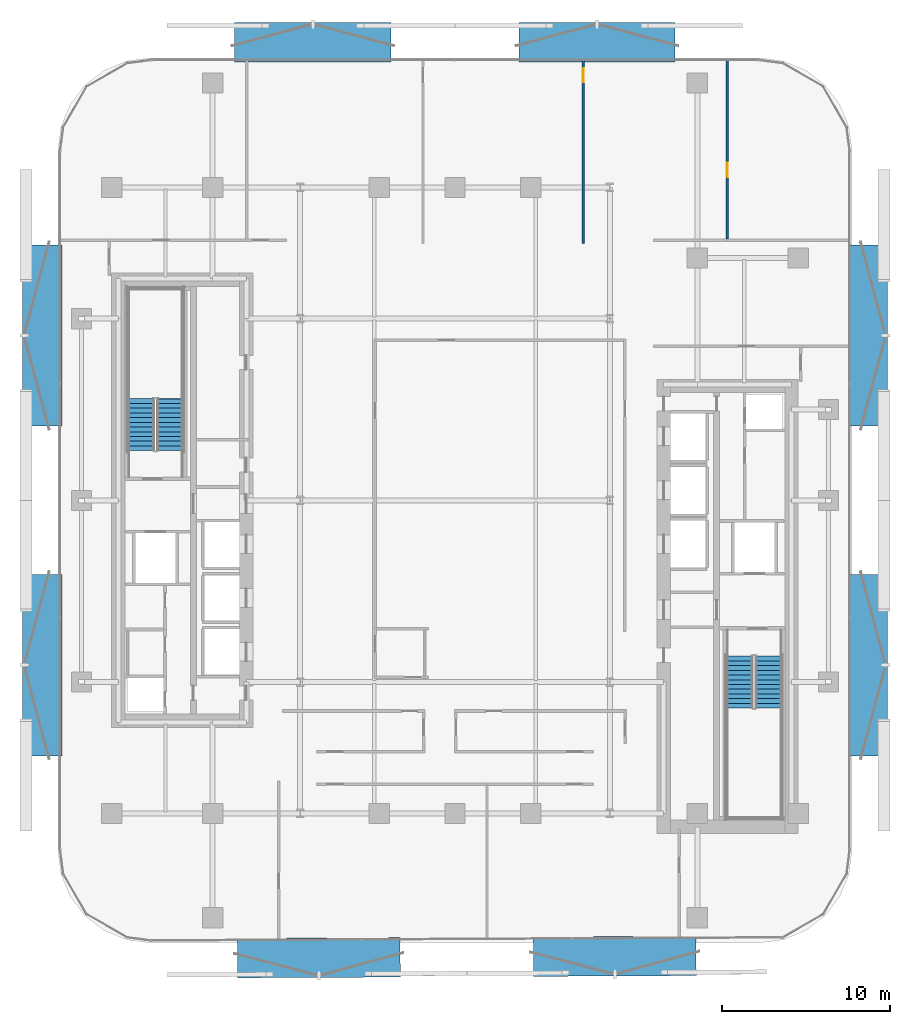
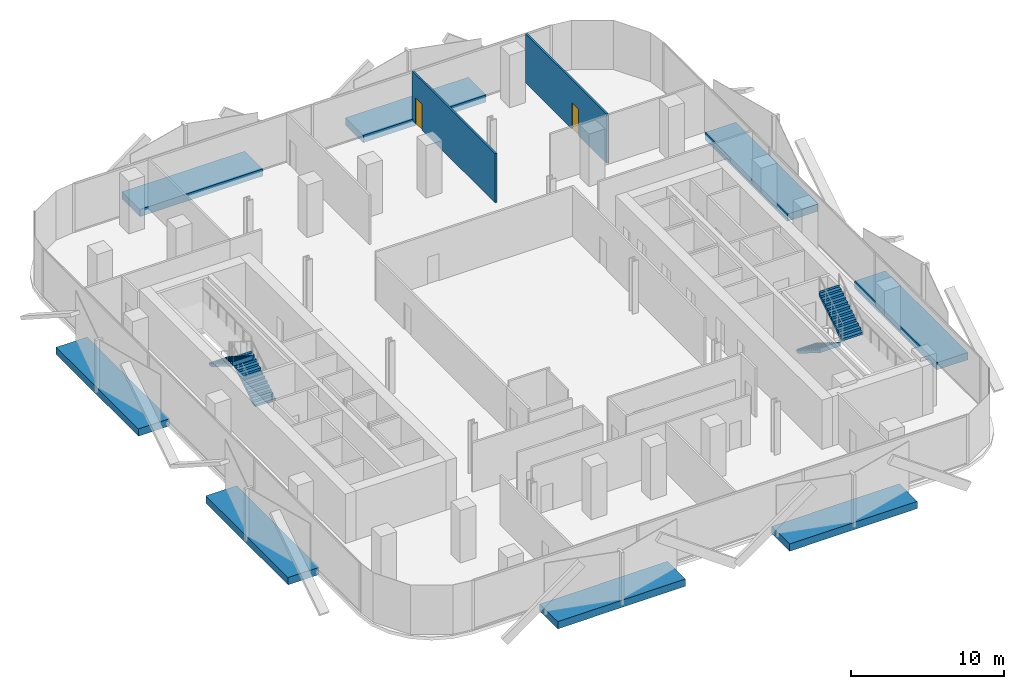
# One storey, part 6 of 15: 8 discrete accessories, 4 stair flights, 2 doors, 2 walls, 2 openings, 2 elements without a shape of their own.
"""IFC4 building model written with IfcOpenShell, lengths in metres."""

import ifcopenshell
import ifcopenshell.guid

model = None  # the IFC model being written
_history = None  # IfcOwnerHistory: only IFC2X3 demands one
_inside = {}  # id of a spatial element -> (the spatial element, [elements in it])
_under = {}  # id of a project, library or spatial element -> (it, [spatial elements below it])
_declared = {}  # id of a project -> (the project, [libraries it declares])
_typed = {}  # id of a type object -> (the type object, [elements of that type])
_made_of = {}  # id of a material, layer set ... -> (it, [elements and type objects made of it])


def new_model(schema):
    """Start an empty IFC model of exactly this schema.

    Asked for "IFC4X3", IfcOpenShell would pick the latest addendum, in which some entities
    have other attributes; the version numbers below select the first issue.
    IFC2X3 requires an IfcOwnerHistory on every rooted entity: one is made here for all.
    """
    global model, _history
    if schema == "IFC4X3":
        model = ifcopenshell.file(schema_version=(4, 3, 0, 0))
    else:
        model = ifcopenshell.file(schema=schema)
    _inside.clear()
    _under.clear()
    _declared.clear()
    _typed.clear()
    _made_of.clear()
    _history = None
    if model.schema == "IFC2X3":
        org = make("IfcOrganization", Name="unknown")
        user = make(
            "IfcPersonAndOrganization",
            ThePerson=make("IfcPerson", FamilyName="unknown"),
            TheOrganization=org,
        )
        app = make(
            "IfcApplication",
            ApplicationDeveloper=org,
            Version="unknown",
            ApplicationFullName="unknown",
            ApplicationIdentifier="unknown",
        )
        _history = make(
            "IfcOwnerHistory",
            OwningUser=user,
            OwningApplication=app,
            ChangeAction="ADDED",
            CreationDate=0,
        )
    return model


def make(cls, **values):
    """One entity of the class cls with the attributes given. An attribute that is None is left unset."""
    return model.create_entity(
        cls, **{name: value for name, value in values.items() if value is not None}
    )


def rooted(cls, **values):
    """An entity with a GlobalId (a new one), such as an element, a storey or a relation."""
    return make(cls, GlobalId=ifcopenshell.guid.new(), OwnerHistory=_history, **values)


def si_unit(unit_type, name, prefix=None):
    """IfcSIUnit, for example si_unit("LENGTHUNIT", "METRE", prefix="MILLI")."""
    return make("IfcSIUnit", UnitType=unit_type, Prefix=prefix, Name=name)


def assignment(units):
    """IfcUnitAssignment: the units of a project."""
    return None if units is None else make("IfcUnitAssignment", Units=units)


def point(xyz):
    """IfcCartesianPoint."""
    return None if xyz is None else make("IfcCartesianPoint", Coordinates=xyz)


def direction(xyz):
    """IfcDirection."""
    return None if xyz is None else make("IfcDirection", DirectionRatios=xyz)


def frame(location, z_axis=None, x_axis=None):
    """IfcAxis2Placement3D, a coordinate frame: its origin and axes. An axis left out is left unset."""
    return make(
        "IfcAxis2Placement3D",
        Location=point(location),
        Axis=direction(z_axis),
        RefDirection=direction(x_axis),
    )


def frame_2d(location, x_axis=None):
    """IfcAxis2Placement2D, a coordinate frame in the plane: its origin and x axis."""
    return make(
        "IfcAxis2Placement2D", Location=point(location), RefDirection=direction(x_axis)
    )


def origin():
    """The frame at (0, 0, 0) with its axes left unset."""
    return frame((0.0, 0.0, 0.0))


def origin_2d():
    """The frame at (0, 0) in the plane with its x axis left unset."""
    return frame_2d((0.0, 0.0))


def place(relative_to, where):
    """IfcLocalPlacement: puts the frame where relative to a parent placement (None: the world)."""
    return make(
        "IfcLocalPlacement", PlacementRelTo=relative_to, RelativePlacement=where
    )


def context(
    kind, dimensions, precision=None, world=None, true_north=None, identifier=None
):
    """IfcGeometricRepresentationContext, for example the 3D "Model" context."""
    return make(
        "IfcGeometricRepresentationContext",
        ContextIdentifier=identifier,
        ContextType=kind,
        CoordinateSpaceDimension=dimensions,
        Precision=precision,
        WorldCoordinateSystem=world,
        TrueNorth=true_north,
    )


def subcontext(parent, identifier, kind, view, scale=None):
    """IfcGeometricRepresentationSubContext, for example "Body" below "Model"."""
    return make(
        "IfcGeometricRepresentationSubContext",
        ContextIdentifier=identifier,
        ContextType=kind,
        ParentContext=parent,
        TargetScale=scale,
        TargetView=view,
    )


def project(units=None, contexts=None):
    """IfcProject with its units and contexts."""
    return rooted(
        "IfcProject",
        Name="project",
        RepresentationContexts=contexts,
        UnitsInContext=assignment(units),
    )


def spatial(cls, under=None, at=None, **own):
    """A site, building, storey or space (cls), placed at a placement, below another one or the project."""
    s = rooted(cls, ObjectPlacement=at, **own)
    if under is not None:
        _under.setdefault(under.id(), (under, []))[1].append(s)
    return s


def polyline(points):
    """IfcPolyline through the points."""
    return make("IfcPolyline", Points=[point(p) for p in points])


def profile(cls, at=None, kind="AREA", **sizes):
    """A parametric profile (cls). Its sizes go by their IFC names, for example OverallWidth=200.0."""
    return make(cls, ProfileType=kind, Position=at, **sizes)


def rectangle(**sizes):
    """IfcRectangleProfileDef."""
    return profile("IfcRectangleProfileDef", **sizes)


def outline(outer, holes=None, kind="AREA"):
    """IfcArbitraryClosedProfileDef: a profile drawn as a closed curve; with holes, ...WithVoids."""
    if holes is None:
        return make("IfcArbitraryClosedProfileDef", ProfileType=kind, OuterCurve=outer)
    return make(
        "IfcArbitraryProfileDefWithVoids",
        ProfileType=kind,
        OuterCurve=outer,
        InnerCurves=holes,
    )


def extrude(swept, where, along, depth):
    """IfcExtrudedAreaSolid: the profile swept, set in the frame where, extruded along a direction by depth."""
    return make(
        "IfcExtrudedAreaSolid",
        SweptArea=swept,
        Position=where,
        ExtrudedDirection=direction(along),
        Depth=depth,
    )


def shape(context_of_items, identifier, shape_type, items):
    """IfcShapeRepresentation: the items that make up one representation, for example the "Body"."""
    return make(
        "IfcShapeRepresentation",
        ContextOfItems=context_of_items,
        RepresentationIdentifier=identifier,
        RepresentationType=shape_type,
        Items=items,
    )


def material(Name=None, Category=None):
    """IfcMaterial."""
    return make("IfcMaterial", Name=Name, Category=Category)


def layer(
    of_material, thickness, ventilated=None, Name=None, Category=None, Priority=None
):
    """IfcMaterialLayer: one layer of a wall or slab, of a material (None: an air gap)."""
    return make(
        "IfcMaterialLayer",
        Material=of_material,
        LayerThickness=thickness,
        IsVentilated=ventilated,
        Name=Name,
        Category=Category,
        Priority=Priority,
    )


def layer_set(layers, Name=None):
    """IfcMaterialLayerSet."""
    return make("IfcMaterialLayerSet", MaterialLayers=layers, LayerSetName=Name)


def made_of(thing, what):
    """Note that an element or type object is made of a material, layer set ...; save() writes the relation."""
    if what is not None:
        _made_of.setdefault(what.id(), (what, []))[1].append(thing)
    return thing


def type_object(cls, material=None, **own):
    """A type object (cls), such as IfcWallType, which elements share."""
    return made_of(rooted(cls, **own), material)


def element(
    cls,
    number,
    at=None,
    inside=None,
    cuts=None,
    type_object=None,
    material=None,
    context=None,
    identifier="Body",
    shape_type=None,
    held_by="IfcProductDefinitionShape",
    body=None,
    shapes=None,
    **own,
):
    """One element of the class cls, such as IfcWall. Its Tag is "e" and its number.

    at: its placement. inside: the storey or other place that contains it. cuts: it is an
    opening in that element (IfcRelVoidsElement). A single representation is given by context,
    identifier, shape_type and body (its items); several are given by shapes. held_by: the class
    of the entity that holds the representations. save() writes the other relations.
    """
    e = rooted(cls, Tag="e%d" % number, ObjectPlacement=at, **own)
    if body is not None:
        shapes = [shape(context, identifier, shape_type, body)]
    if shapes is not None:
        e.Representation = make(held_by, Representations=shapes)
    if inside is not None:
        _inside.setdefault(inside.id(), (inside, []))[1].append(e)
    if cuts is not None:
        rooted(
            "IfcRelVoidsElement", RelatingBuildingElement=cuts, RelatedOpeningElement=e
        )
    if type_object is not None:
        _typed.setdefault(type_object.id(), (type_object, []))[1].append(e)
    return made_of(e, material)


def fill(opening, filler):
    """IfcRelFillsElement: the door or window that sits in an opening."""
    return rooted(
        "IfcRelFillsElement",
        RelatingOpeningElement=opening,
        RelatedBuildingElement=filler,
    )


def aggregate(whole, parts):
    """IfcRelAggregates: a whole, such as a stair, and the parts it consists of."""
    return rooted("IfcRelAggregates", RelatingObject=whole, RelatedObjects=parts)


def save(model, path):
    """Write the relations noted so far, then the file.

    IfcRelAggregates (storeys below a building ...), IfcRelContainedInSpatialStructure (elements
    in a storey), IfcRelDefinesByType, IfcRelAssociatesMaterial and IfcRelDeclares: one each for
    every whole, place, type object, material and project.
    """
    for whole, parts in _under.values():
        aggregate(whole, parts)
    for where, things in _inside.values():
        rooted(
            "IfcRelContainedInSpatialStructure",
            RelatedElements=things,
            RelatingStructure=where,
        )
    for kind, things in _typed.values():
        rooted("IfcRelDefinesByType", RelatedObjects=things, RelatingType=kind)
    for what, things in _made_of.values():
        rooted("IfcRelAssociatesMaterial", RelatedObjects=things, RelatingMaterial=what)
    for by, libraries in _declared.values():
        rooted("IfcRelDeclares", RelatingContext=by, RelatedDefinitions=libraries)
    model.write(path)


model = new_model("IFC4")

# Units and contexts
model_context = context("Model", 3, precision=1e-05, world=origin(), true_north=direction((0.0, 1.0)))
body_context = subcontext(model_context, "Body", "Model", "MODEL_VIEW")
ifc_project = project(units=[si_unit("LENGTHUNIT", "METRE"), si_unit("AREAUNIT", "SQUARE_METRE"), si_unit("VOLUMEUNIT", "CUBIC_METRE"), si_unit("PLANEANGLEUNIT", "RADIAN"), si_unit("MASSUNIT", "GRAM", prefix="KILO")], contexts=[model_context])

# Site, building, storey
site_placement = place(None, origin())
site = spatial("IfcSite", under=ifc_project, at=site_placement, CompositionType="ELEMENT")
building_placement = place(site_placement, origin())
building = spatial("IfcBuilding", under=site, at=building_placement, Name="Khairoan Windgate Tower", CompositionType="ELEMENT")
storey_placement = place(building_placement, frame((0.0, 0.0, 118.39990234375)))
storey = spatial("IfcBuildingStorey", under=building, at=storey_placement, Name="L27", CompositionType="ELEMENT", Elevation=118.39990234375)

# Wall, opening, door
ifc_material_1 = material(Name="Acoustic Fire-Rated Gypsum Partition", Category="gypsum")
ifc_layer_1 = layer(ifc_material_1, 0.139892578125, Name="Acoustic Fire-Rated Gypsum Partition")
ifc_layer_set_1 = layer_set([ifc_layer_1], Name="Acoustic Fire-Rated Gypsum Partition")
wall_type = type_object("IfcWallType", Name="Inter-Tenancy Compartment Wall", PredefinedType="PARTITIONING", material=ifc_layer_set_1)
wall_1_placement = place(storey_placement, frame((7.615966796875, 15.280029296875, 0.0), z_axis=(0.0, 0.0, 1.0), x_axis=(0.0, 1.0, 0.0)))
wall_1 = element("IfcWall", 1, at=wall_1_placement, inside=storey, type_object=wall_type, Name="L27 Interior Partition 035", PredefinedType="PARTITIONING", context=body_context, shape_type="SweptSolid", body=[
    extrude(rectangle(XDim=10.875, YDim=0.139892578125, at=frame_2d((5.4375, 0.0))), origin(), (0.0, 0.0, 1.0), 3.940185546875),
])
opening_1_placement = place(wall_1_placement, frame((9.56494140625, 0.0, 0.0)))
opening_1 = element("IfcOpeningElement", 2, at=opening_1_placement, cuts=wall_1, Name="Opening FD-SRV", PredefinedType="OPENING", context=body_context, shape_type="SweptSolid", body=[
    extrude(rectangle(XDim=0.85009765625, YDim=2.10009765625, at=frame_2d((0.425048828125, 1.050048828125))), frame((0.0, 0.079833984375, 0.0), z_axis=(0.0, -1.0, 0.0), x_axis=(1.0, 0.0, 0.0)), (0.0, 0.0, 1.0), 0.159912109375),
])
ifc_material_2 = material(Name="Steel S355", Category="steel")
door_type = type_object("IfcDoorType", Name="Core Service and Riser Fire Door FD-SRV 850x2100", OperationType="NOTDEFINED", PredefinedType="DOOR", material=ifc_material_2)
door_1_placement = place(opening_1_placement, origin())
door_1 = element("IfcDoor", 3, at=door_1_placement, inside=storey, type_object=door_type, Name="L27 L27-41-L27-42 Door", OperationType="SINGLE_SWING_LEFT", OverallHeight=2.10009765625, OverallWidth=0.85009765625, PredefinedType="DOOR", context=body_context, shape_type="SweptSolid", body=[
    extrude(rectangle(XDim=0.85009765625, YDim=2.10009765625, at=frame_2d((0.425048828125, 1.050048828125))), frame((0.0, 0.02490234375, 0.0), z_axis=(0.0, -1.0, 0.0), x_axis=(1.0, 0.0, 0.0)), (0.0, 0.0, 1.0), 0.050048828125),
])
fill(opening_1, door_1)

wall_2_placement = place(storey_placement, frame((16.18408203125, 15.530029296875, 0.0), z_axis=(0.0, 0.0, 1.0), x_axis=(0.0, 1.0, 0.0)))
wall_2 = element("IfcWall", 4, at=wall_2_placement, inside=storey, type_object=wall_type, Name="L27 Interior Partition 036", PredefinedType="PARTITIONING", context=body_context, shape_type="SweptSolid", body=[
    extrude(rectangle(XDim=10.625, YDim=0.139892578125, at=frame_2d((5.3125, 0.0))), origin(), (0.0, 0.0, 1.0), 3.940185546875),
])
opening_2_placement = place(wall_2_placement, frame((3.679931640625, 0.0, 0.0)))
opening_2 = element("IfcOpeningElement", 5, at=opening_2_placement, cuts=wall_2, Name="Opening FD-SRV", PredefinedType="OPENING", context=body_context, shape_type="SweptSolid", body=[
    extrude(rectangle(XDim=0.85009765625, YDim=2.10009765625, at=frame_2d((0.425048828125, 1.050048828125))), frame((0.0, 0.079833984375, 0.0), z_axis=(0.0, -1.0, 0.0), x_axis=(1.0, 0.0, 0.0)), (0.0, 0.0, 1.0), 0.159912109375),
])
door_2_placement = place(opening_2_placement, origin())
door_2 = element("IfcDoor", 6, at=door_2_placement, inside=storey, type_object=door_type, Name="L27 L27-42-L27-43 Door", OperationType="SINGLE_SWING_RIGHT", OverallHeight=2.10009765625, OverallWidth=0.85009765625, PredefinedType="DOOR", context=body_context, shape_type="SweptSolid", body=[
    extrude(rectangle(XDim=0.85009765625, YDim=2.10009765625, at=frame_2d((0.425048828125, 1.050048828125))), frame((0.0, 0.02490234375, 0.0), z_axis=(0.0, -1.0, 0.0), x_axis=(1.0, 0.0, 0.0)), (0.0, 0.0, 1.0), 0.050048828125),
])
fill(opening_2, door_2)

# Stair, stair flights
ifc_material_3 = material(Name="Concrete C40/50", Category="concrete")
stair_type = type_object("IfcStairType", Name="Tower Core Dog-Leg Stair ST-T1 1560mm", PredefinedType="HALF_TURN_STAIR", material=ifc_material_3)
stair_1_placement = place(storey_placement, origin())
stair_1 = element("IfcStair", 7, at=stair_1_placement, inside=storey, type_object=stair_type, Name="L27 Stair ST1", PredefinedType="HALF_TURN_STAIR")
ifc_material_4 = material(Name="Concrete C40/50", Category="concrete")
ifc_layer_2 = layer(ifc_material_4, 0.14990234375, Name="Concrete C40/50")
ifc_layer_set_2 = layer_set([ifc_layer_2], Name="Concrete C40/50")
stair_flight_type = type_object("IfcStairFlightType", Name="Tower Core Stair Flight STF-1560", PredefinedType="STRAIGHT", material=ifc_layer_set_2)
stair_flight_1_placement = place(storey_placement, frame((16.929931640625, -9.260009765625, 0.0), z_axis=(0.0, 0.0, 1.0), x_axis=(0.0, -1.0, 0.0)))
stair_flight_1 = element("IfcStairFlight", 8, at=stair_flight_1_placement, type_object=stair_flight_type, Name="ST1 flight 1", NumberOfRisers=12, NumberOfTreads=11, PredefinedType="STRAIGHT", RiserHeight=0.175, TreadLength=0.28, context=body_context, shape_type="SweptSolid", body=[
    extrude(outline(polyline([(-0.00390625, 0.0), (-0.00390625, 0.175048828125), (0.0, 0.175048828125), (0.280029296875, 0.175048828125), (0.280029296875, 0.35009765625), (0.56005859375, 0.35009765625), (0.56005859375, 0.52490234375), (0.840087890625, 0.52490234375), (0.840087890625, 0.699951171875), (1.1201171875, 0.699951171875), (1.1201171875, 0.875), (1.39990234375, 0.875), (1.39990234375, 1.050048828125), (1.679931640625, 1.050048828125), (1.679931640625, 1.22509765625), (1.9599609375, 1.22509765625), (1.9599609375, 1.39990234375), (2.239990234375, 1.39990234375), (2.239990234375, 1.574951171875), (2.52001953125, 1.574951171875), (2.52001953125, 1.75), (2.800048828125, 1.75), (2.800048828125, 1.925048828125), (3.080078125, 1.925048828125), (3.080078125, 2.10009765625), (3.083984375, 2.10009765625), (3.083984375, 1.748291015625), (0.28271484375, 0.0), (-0.00390625, 0.0)])), frame((0.0, 0.780029296875, 0.0), z_axis=(0.0, -1.0, 0.0), x_axis=(1.0, 0.0, 0.0)), (0.0, 0.0, 1.0), 1.56005859375),
])
stair_flight_2_placement = place(storey_placement, frame((18.639892578125, -12.340087890625, 2.10009765625), z_axis=(0.0, 0.0, 1.0), x_axis=(0.0, 1.0, 0.0)))
stair_flight_2 = element("IfcStairFlight", 9, at=stair_flight_2_placement, type_object=stair_flight_type, Name="ST1 flight 2", NumberOfRisers=12, NumberOfTreads=11, PredefinedType="STRAIGHT", RiserHeight=0.175, TreadLength=0.28, context=body_context, shape_type="SweptSolid", body=[
    extrude(outline(polyline([(-0.00390625, 0.0), (-0.00390625, 0.175048828125), (0.0, 0.175048828125), (0.280029296875, 0.175048828125), (0.280029296875, 0.35009765625), (0.56005859375, 0.35009765625), (0.56005859375, 0.52490234375), (0.840087890625, 0.52490234375), (0.840087890625, 0.699951171875), (1.1201171875, 0.699951171875), (1.1201171875, 0.875), (1.39990234375, 0.875), (1.39990234375, 1.050048828125), (1.679931640625, 1.050048828125), (1.679931640625, 1.22509765625), (1.9599609375, 1.22509765625), (1.9599609375, 1.39990234375), (2.239990234375, 1.39990234375), (2.239990234375, 1.574951171875), (2.52001953125, 1.574951171875), (2.52001953125, 1.75), (2.800048828125, 1.75), (2.800048828125, 1.925048828125), (3.080078125, 1.925048828125), (3.080078125, 2.10009765625), (3.083984375, 2.10009765625), (3.083984375, 1.748291015625), (0.28271484375, 0.0), (-0.00390625, 0.0)])), frame((0.0, 0.780029296875, 0.0), z_axis=(0.0, -1.0, 0.0), x_axis=(1.0, 0.0, 0.0)), (0.0, 0.0, 1.0), 1.56005859375),
])
aggregate(stair_1, [stair_flight_1, stair_flight_2])

stair_2_placement = place(storey_placement, origin())
stair_2 = element("IfcStair", 10, at=stair_2_placement, inside=storey, type_object=stair_type, Name="L27 Stair ST2", PredefinedType="HALF_TURN_STAIR")
stair_flight_3_placement = place(storey_placement, frame((-16.929931640625, 2.9599609375, 0.0), z_axis=(0.0, 0.0, 1.0), x_axis=(0.0, 1.0, 0.0)))
stair_flight_3 = element("IfcStairFlight", 11, at=stair_flight_3_placement, type_object=stair_flight_type, Name="ST2 flight 1", NumberOfRisers=12, NumberOfTreads=11, PredefinedType="STRAIGHT", RiserHeight=0.175, TreadLength=0.28, context=body_context, shape_type="SweptSolid", body=[
    extrude(outline(polyline([(-0.00390625, 0.0), (-0.00390625, 0.175048828125), (0.0, 0.175048828125), (0.280029296875, 0.175048828125), (0.280029296875, 0.35009765625), (0.56005859375, 0.35009765625), (0.56005859375, 0.52490234375), (0.840087890625, 0.52490234375), (0.840087890625, 0.699951171875), (1.1201171875, 0.699951171875), (1.1201171875, 0.875), (1.39990234375, 0.875), (1.39990234375, 1.050048828125), (1.679931640625, 1.050048828125), (1.679931640625, 1.22509765625), (1.9599609375, 1.22509765625), (1.9599609375, 1.39990234375), (2.239990234375, 1.39990234375), (2.239990234375, 1.574951171875), (2.52001953125, 1.574951171875), (2.52001953125, 1.75), (2.800048828125, 1.75), (2.800048828125, 1.925048828125), (3.080078125, 1.925048828125), (3.080078125, 2.10009765625), (3.083984375, 2.10009765625), (3.083984375, 1.748291015625), (0.28271484375, 0.0), (-0.00390625, 0.0)])), frame((0.0, 0.780029296875, 0.0), z_axis=(0.0, -1.0, 0.0), x_axis=(1.0, 0.0, 0.0)), (0.0, 0.0, 1.0), 1.56005859375),
])
stair_flight_4_placement = place(storey_placement, frame((-18.639892578125, 6.0400390625, 2.10009765625), z_axis=(0.0, 0.0, 1.0), x_axis=(0.0, -1.0, 0.0)))
stair_flight_4 = element("IfcStairFlight", 12, at=stair_flight_4_placement, type_object=stair_flight_type, Name="ST2 flight 2", NumberOfRisers=12, NumberOfTreads=11, PredefinedType="STRAIGHT", RiserHeight=0.175, TreadLength=0.28, context=body_context, shape_type="SweptSolid", body=[
    extrude(outline(polyline([(-0.00390625, 0.0), (-0.00390625, 0.175048828125), (0.0, 0.175048828125), (0.280029296875, 0.175048828125), (0.280029296875, 0.35009765625), (0.56005859375, 0.35009765625), (0.56005859375, 0.52490234375), (0.840087890625, 0.52490234375), (0.840087890625, 0.699951171875), (1.1201171875, 0.699951171875), (1.1201171875, 0.875), (1.39990234375, 0.875), (1.39990234375, 1.050048828125), (1.679931640625, 1.050048828125), (1.679931640625, 1.22509765625), (1.9599609375, 1.22509765625), (1.9599609375, 1.39990234375), (2.239990234375, 1.39990234375), (2.239990234375, 1.574951171875), (2.52001953125, 1.574951171875), (2.52001953125, 1.75), (2.800048828125, 1.75), (2.800048828125, 1.925048828125), (3.080078125, 1.925048828125), (3.080078125, 2.10009765625), (3.083984375, 2.10009765625), (3.083984375, 1.748291015625), (0.28271484375, 0.0), (-0.00390625, 0.0)])), frame((0.0, 0.780029296875, 0.0), z_axis=(0.0, -1.0, 0.0), x_axis=(1.0, 0.0, 0.0)), (0.0, 0.0, 1.0), 1.56005859375),
])
aggregate(stair_2, [stair_flight_3, stair_flight_4])

# Discrete accessories
ifc_material_5 = material(Name="Steel S355", Category="steel")
discrete_accessory_type = type_object("IfcDiscreteAccessoryType", Name="Solar Screen Outrigger Slab Bracket SSB-1", PredefinedType="BRACKET", material=ifc_material_5)
for number, where, z_axis, x_axis, name in (
    (13, (9.497802734375, -27.09521484375, -0.419921875), (0.0, 0.0, 1.0), (-0.999988059021, -0.004886902454, 0.0), "L27 Solar Screen Outrigger Bracket 161"),
    (14, (-8.091064453125, -27.18115234375, -0.419921875), (0.0, 0.0, 1.0), (-0.999988059021, -0.004886902454, 0.0), "L27 Solar Screen Outrigger Bracket 162"),
):
    element("IfcDiscreteAccessory", number, at=place(storey_placement, frame(where, z_axis=z_axis, x_axis=x_axis)), inside=storey, type_object=discrete_accessory_type, Name=name, PredefinedType="BRACKET", context=body_context, shape_type="SweptSolid", body=[
        extrude(rectangle(XDim=9.674072265625, YDim=2.340087890625, at=origin_2d()), origin(), (0.0, 0.0, 1.0), 0.580078125),
    ])
for number, where, z_axis, x_axis, name in (
    (15, (-24.530029296875, -9.79541015625, -0.419921875), (0.0, 0.0, 1.0), (0.0, 1.0, 0.0), "L27 Solar Screen Outrigger Bracket 163"),
    (16, (-24.530029296875, 9.79541015625, -0.419921875), (0.0, 0.0, 1.0), (0.0, 1.0, 0.0), "L27 Solar Screen Outrigger Bracket 164"),
):
    element("IfcDiscreteAccessory", number, at=place(storey_placement, frame(where, z_axis=z_axis, x_axis=x_axis)), inside=storey, type_object=discrete_accessory_type, Name=name, PredefinedType="BRACKET", context=body_context, shape_type="SweptSolid", body=[
        extrude(rectangle(XDim=10.77490234375, YDim=2.340087890625, at=origin_2d()), origin(), (0.0, 0.0, 1.0), 0.580078125),
    ])
for number, where, z_axis, x_axis, name in (
    (17, (-8.4453125, 27.22998046875, -0.419921875), (0.0, 0.0, 1.0), (1.0, 0.0, 0.0), "L27 Solar Screen Outrigger Bracket 165"),
    (18, (8.4453125, 27.22998046875, -0.419921875), (0.0, 0.0, 1.0), (1.0, 0.0, 0.0), "L27 Solar Screen Outrigger Bracket 166"),
):
    element("IfcDiscreteAccessory", number, at=place(storey_placement, frame(where, z_axis=z_axis, x_axis=x_axis)), inside=storey, type_object=discrete_accessory_type, Name=name, PredefinedType="BRACKET", context=body_context, shape_type="SweptSolid", body=[
        extrude(rectangle(XDim=9.2900390625, YDim=2.340087890625, at=origin_2d()), origin(), (0.0, 0.0, 1.0), 0.580078125),
    ])
for number, where, z_axis, x_axis, name in (
    (19, (24.530029296875, 9.79541015625, -0.419921875), (0.0, 0.0, 1.0), (0.0, -1.0, 0.0), "L27 Solar Screen Outrigger Bracket 167"),
    (20, (24.530029296875, -9.79541015625, -0.419921875), (0.0, 0.0, 1.0), (0.0, -1.0, 0.0), "L27 Solar Screen Outrigger Bracket 168"),
):
    element("IfcDiscreteAccessory", number, at=place(storey_placement, frame(where, z_axis=z_axis, x_axis=x_axis)), inside=storey, type_object=discrete_accessory_type, Name=name, PredefinedType="BRACKET", context=body_context, shape_type="SweptSolid", body=[
        extrude(rectangle(XDim=10.77490234375, YDim=2.340087890625, at=origin_2d()), origin(), (0.0, 0.0, 1.0), 0.580078125),
    ])

save(model, "model.ifc")
